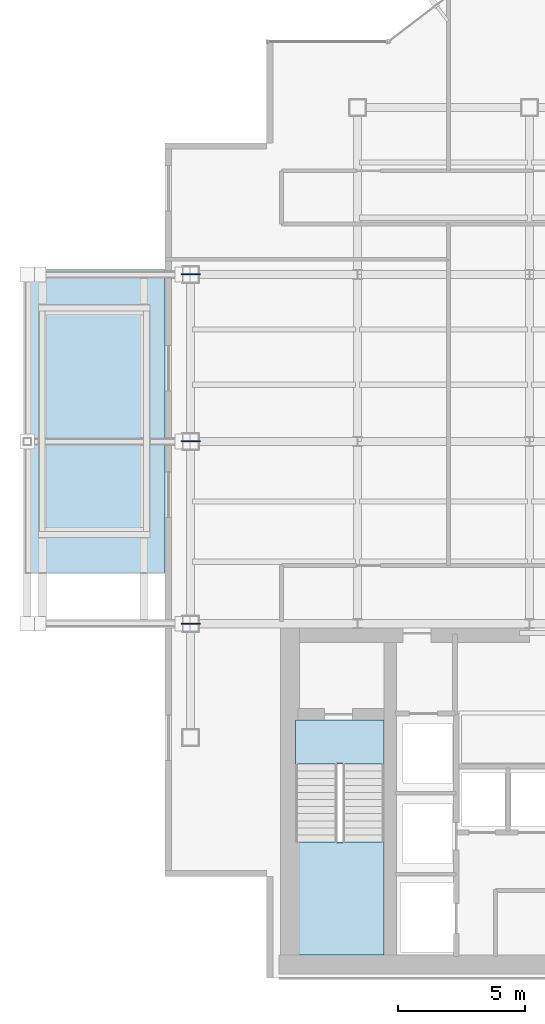
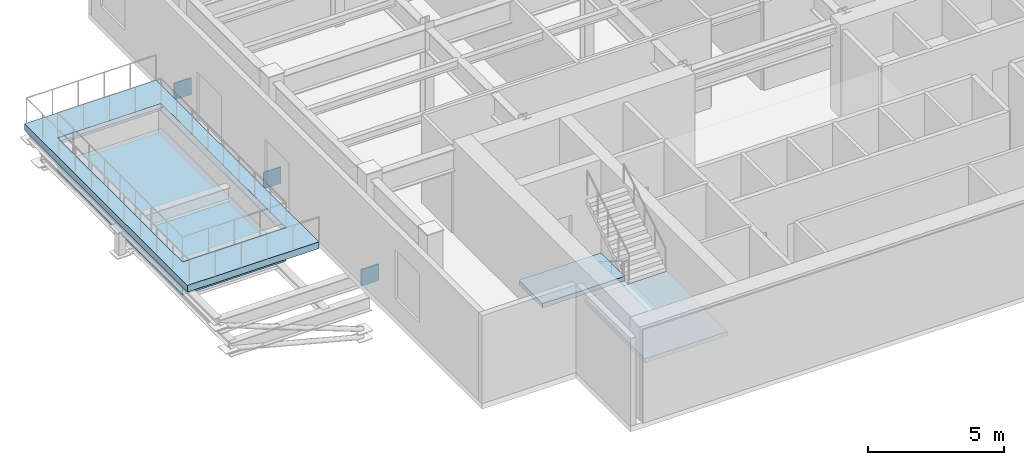
# One storey, part 16 of 26: 4 slabs, 3 plates, 1 element without a shape of its own.
"""IFC4 building model written with IfcOpenShell, lengths in metres."""

from ifc_helpers import new_model, si_unit, derived_unit, direction, frame, origin, origin_2d, place, context, subcontext, project, spatial, polyline, rectangle, outline, extrude, source, transform, mapped, material, layer, layer_set, type_object, element, aggregate, save


model = new_model("IFC4")

# Units and contexts
model_context = context("Model", 3, precision=1e-05, world=origin(), true_north=direction((0.0, 1.0)))
body_context = subcontext(model_context, "Body", "Model", "MODEL_VIEW")
ifc_project = project(units=[si_unit("LENGTHUNIT", "METRE"), si_unit("AREAUNIT", "SQUARE_METRE"), si_unit("VOLUMEUNIT", "CUBIC_METRE"), si_unit("PLANEANGLEUNIT", "RADIAN"), si_unit("MASSUNIT", "GRAM", prefix="KILO"), derived_unit("THERMALTRANSMITTANCEUNIT", [(si_unit("POWERUNIT", "WATT"), 1), (si_unit("LENGTHUNIT", "METRE"), -2), (si_unit("THERMODYNAMICTEMPERATUREUNIT", "KELVIN"), -1)])], contexts=[model_context])

# Site, building, storey
site_placement = place(None, origin())
site = spatial("IfcSite", under=ifc_project, at=site_placement, CompositionType="ELEMENT")
building_placement = place(site_placement, origin())
building = spatial("IfcBuilding", under=site, at=building_placement, Name="Skarnbrae Concourse Arena and Tower", CompositionType="ELEMENT")
storey_placement = place(building_placement, frame((0.0, 0.0, 184.39990234375)))
storey = spatial("IfcBuildingStorey", under=building, at=storey_placement, Name="L47", CompositionType="ELEMENT", Elevation=184.39990234375)

# Stair, slab
ifc_material_1 = material(Name="Concrete 40 MPa (C40/50)", Category="concrete")
stair_type = type_object("IfcStairType", Name="STAIR-DOGLEG-1650", PredefinedType="HALF_TURN_STAIR", material=ifc_material_1)
stair_placement = place(storey_placement, origin())
stair = element("IfcStair", 1, at=stair_placement, inside=storey, type_object=stair_type, Name="L47 Protected Exit Stair ST-1", PredefinedType="HALF_TURN_STAIR")
ifc_layer_1 = layer(ifc_material_1, 0.199951171875)
ifc_layer_set_1 = layer_set([ifc_layer_1], Name="Concrete 40 MPa (C40/50)")
slab_type_1 = type_object("IfcSlabType", Name="SLAB-LANDING-200", PredefinedType="LANDING", material=ifc_layer_set_1)
slab_1_placement = place(storey_placement, frame((0.0, 0.0, 1.900146484375)))
slab_1 = element("IfcSlab", 2, at=slab_1_placement, type_object=slab_type_1, Name="ST-1 landing 1", PredefinedType="LANDING", context=body_context, shape_type="SweptSolid", body=[
    extrude(outline(polyline([(5.14990234375, 5.3701171875), (5.14990234375, 0.89990234375), (8.64990234375, 0.89990234375), (8.64990234375, 5.3701171875), (5.14990234375, 5.3701171875)])), origin(), (0.0, 0.0, 1.0), 0.199951171875),
])
aggregate(stair, [slab_1])

# Slabs
slab_2_placement = place(storey_placement, frame((0.0, 0.0, -0.199951171875)))
element("IfcSlab", 3, at=slab_2_placement, inside=storey, type_object=slab_type_1, Name="L47 Core stair ST1 floor landing", PredefinedType="LANDING", context=body_context, shape_type="SweptSolid", body=[
    extrude(outline(polyline([(5.14990234375, 10.199951171875), (5.14990234375, 8.449951171875), (8.64990234375, 8.449951171875), (8.64990234375, 10.199951171875), (5.14990234375, 10.199951171875)])), origin(), (0.0, 0.0, 1.0), 0.199951171875),
])
ifc_layer_2 = layer(ifc_material_1, 0.39990234375)
ifc_layer_set_2 = layer_set([ifc_layer_2], Name="Concrete 40 MPa (C40/50)")
slab_type_2 = type_object("IfcSlabType", Name="SLAB-POOL-BASIN-400", PredefinedType="FLOOR", material=ifc_layer_set_2)
slab_3_placement = place(storey_placement, frame((0.0, 0.0, -1.5)))
element("IfcSlab", 4, at=slab_3_placement, inside=storey, type_object=slab_type_2, Name="L47 Cantilevered sky pool depressed structural basin slab", PredefinedType="FLOOR", context=body_context, shape_type="SweptSolid", body=[
    extrude(outline(polyline([(-5.0, 17.39990234375), (-0.60009765625, 17.39990234375), (-0.60009765625, 26.60009765625), (-5.0, 26.60009765625), (-5.0, 17.39990234375)])), origin(), (0.0, 0.0, 1.0), 0.400146484375),
])
ifc_layer_3 = layer(ifc_material_1, 0.300048828125)
ifc_layer_set_3 = layer_set([ifc_layer_3], Name="Concrete 40 MPa (C40/50)")
slab_type_3 = type_object("IfcSlabType", Name="SLAB-TERRACE-300", PredefinedType="FLOOR", material=ifc_layer_set_3)
slab_4_placement = place(storey_placement, frame((0.0, 0.0, -0.2998046875)))
element("IfcSlab", 5, at=slab_4_placement, inside=storey, type_object=slab_type_3, Name="L47 Cantilevered sky pool perimeter deck slab", PredefinedType="FLOOR", context=body_context, shape_type="SweptSolid", body=[
    extrude(outline(polyline([(-5.60009765625, 16.0), (0.0, 16.0), (0.0, 28.0), (-5.60009765625, 28.0), (-5.60009765625, 16.0)]), holes=[polyline([(-5.0, 26.60009765625), (-0.60009765625, 26.60009765625), (-0.60009765625, 17.39990234375), (-5.0, 17.39990234375), (-5.0, 26.60009765625)])]), origin(), (0.0, 0.0, 1.0), 0.2998046875),
])

# Plates
ifc_material_2 = material(Name="Steel CSA G40.21 350W", Category="steel")
ifc_layer_4 = layer(ifc_material_2, 0.0400390625)
ifc_layer_set_4 = layer_set([ifc_layer_4], Name="Steel CSA G40.21 350W")
plate_type = type_object("IfcPlateType", Name="PLT-NODE-POOL", PredefinedType="USERDEFINED", material=ifc_layer_set_4)
shared_shape = source(origin(), body_context, "Body", "SweptSolid", [
    extrude(rectangle(XDim=0.75, YDim=0.0400390625, at=origin_2d()), origin(), (0.0, 0.0, 1.0), 0.75),
])
for number, where, z_axis, x_axis, name in (
    (6, (1.0, 14.0, -0.992431640625), (0.0, 0.0, 1.0), (1.0, 0.0, 0.0), "L47 Sky pool cantilever node plate ND-SP-01 #1"),
    (7, (1.0, 21.199951171875, -0.992431640625), (0.0, 0.0, 1.0), (1.0, 0.0, 0.0), "L47 Sky pool cantilever node plate ND-SP-01 #2"),
    (8, (1.0, 27.800048828125, -0.992431640625), (0.0, 0.0, 1.0), (1.0, 0.0, 0.0), "L47 Sky pool cantilever node plate ND-SP-01 #3"),
):
    element("IfcPlate", number, at=place(storey_placement, frame(where, z_axis=z_axis, x_axis=x_axis)), inside=storey, type_object=plate_type, Name=name, ObjectType="GUSSET PLATE", PredefinedType="USERDEFINED", context=body_context, shape_type="MappedRepresentation", body=[
        mapped(shared_shape, transform((0.0, 0.0, 0.0))),
    ])

save(model, "model.ifc")
